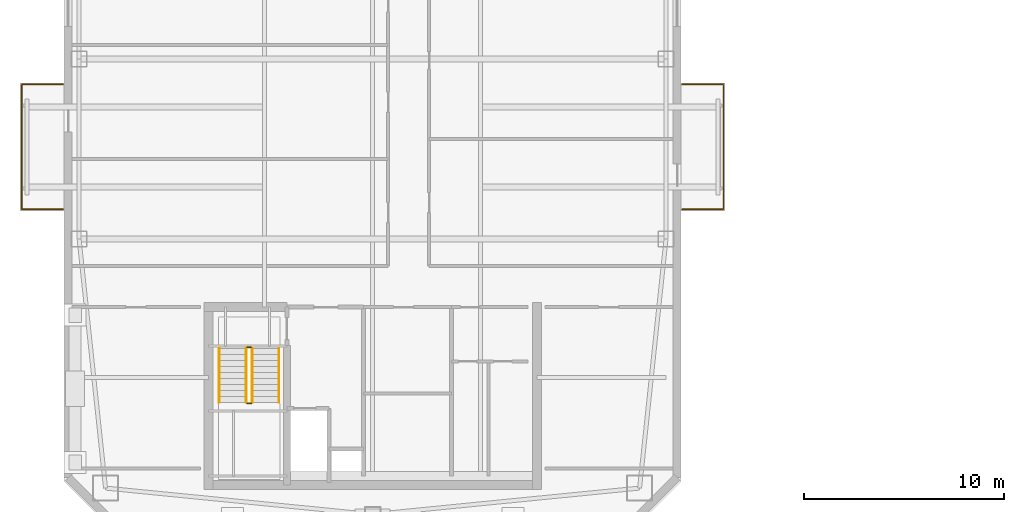
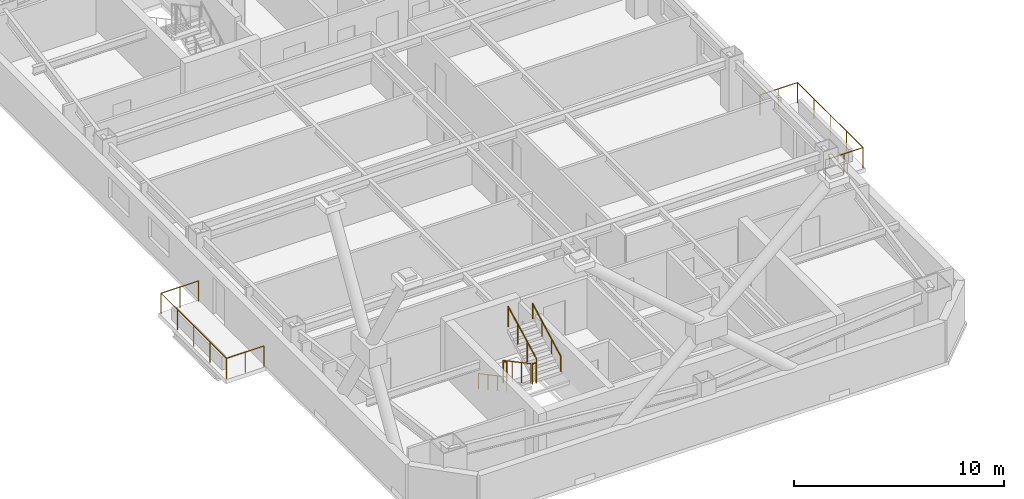
# One storey, part 53 of 56: 8 railings.
"""IFC4 building model written with IfcOpenShell, lengths in metres."""

from ifc_helpers import new_model, si_unit, direction, frame, origin, origin_2d, place, context, subcontext, project, spatial, circle, extrude, material, type_object, element, save


model = new_model("IFC4")

# Units and contexts
model_context = context("Model", 3, precision=1e-05, world=origin(), true_north=direction((0.0, 1.0)))
body_context = subcontext(model_context, "Body", "Model", "MODEL_VIEW")
ifc_project = project(units=[si_unit("LENGTHUNIT", "METRE"), si_unit("AREAUNIT", "SQUARE_METRE"), si_unit("VOLUMEUNIT", "CUBIC_METRE"), si_unit("PLANEANGLEUNIT", "RADIAN"), si_unit("MASSUNIT", "GRAM", prefix="KILO")], contexts=[model_context])

# Site, building, storey
site_placement = place(None, origin())
site = spatial("IfcSite", under=ifc_project, at=site_placement, CompositionType="ELEMENT")
building_placement = place(site_placement, origin())
building = spatial("IfcBuilding", under=site, at=building_placement, Name="Qiaolan Cultural Towers", CompositionType="ELEMENT")
storey_placement = place(building_placement, frame((0.0, 0.0, 250.39990234375)))
storey = spatial("IfcBuildingStorey", under=building, at=storey_placement, Name="L68", CompositionType="ELEMENT", Elevation=250.39990234375)

# Railings
ifc_material_1 = material(Name="Laminated SentryGlas & Stainless Steel S31608 Balustrade", Category="steel")
railing_type_1 = type_object("IfcRailingType", Name="GRD-TERR-1200", PredefinedType="BALUSTRADE", material=ifc_material_1)
railing_1_placement = place(storey_placement, frame((14.550048828125, 26.47998046875, 0.0)))
element("IfcRailing", 1, at=railing_1_placement, inside=storey, type_object=railing_type_1, Name="L68 T1 Tree Balcony Guardrail W", PredefinedType="BALUSTRADE", context=body_context, shape_type="SweptSolid", body=[
    extrude(circle(Radius=0.02392578125, at=origin_2d()), frame((0.0, 0.0, 1.17578125), z_axis=(-1.0, 0.0, 0.0), x_axis=(0.0, -1.0, 0.0)), (0.0, 0.0, 1.0), 2.070068359375),
    extrude(circle(Radius=0.02392578125, at=origin_2d()), frame((-2.070068359375, 0.0, 1.17578125), z_axis=(0.0, 1.0, 0.0), x_axis=(-1.0, 0.0, 0.0)), (0.0, 0.0, 1.0), 6.239990234375),
    extrude(circle(Radius=0.02392578125, at=origin_2d()), frame((-2.070068359375, 6.239990234375, 1.17578125), z_axis=(1.0, 0.0, 0.0), x_axis=(0.0, 1.0, 0.0)), (0.0, 0.0, 1.0), 2.070068359375),
    extrude(circle(Radius=0.02099609375, at=origin_2d()), origin(), (0.0, 0.0, 1.0), 1.15185546875),
    extrude(circle(Radius=0.02099609375, at=origin_2d()), frame((-1.03515625, 0.0, 0.0)), (0.0, 0.0, 1.0), 1.15185546875),
    extrude(circle(Radius=0.02099609375, at=origin_2d()), frame((-2.070068359375, 0.0, 0.0)), (0.0, 0.0, 1.0), 1.15185546875),
    extrude(circle(Radius=0.02099609375, at=origin_2d()), frame((-2.070068359375, 1.56005859375, 0.0)), (0.0, 0.0, 1.0), 1.15185546875),
    extrude(circle(Radius=0.02099609375, at=origin_2d()), frame((-2.070068359375, 3.1201171875, 0.0)), (0.0, 0.0, 1.0), 1.15185546875),
    extrude(circle(Radius=0.02099609375, at=origin_2d()), frame((-2.070068359375, 4.679931640625, 0.0)), (0.0, 0.0, 1.0), 1.15185546875),
    extrude(circle(Radius=0.02099609375, at=origin_2d()), frame((-2.070068359375, 6.239990234375, 0.0)), (0.0, 0.0, 1.0), 1.15185546875),
    extrude(circle(Radius=0.02099609375, at=origin_2d()), frame((-1.03515625, 6.239990234375, 0.0)), (0.0, 0.0, 1.0), 1.15185546875),
    extrude(circle(Radius=0.02099609375, at=origin_2d()), frame((0.0, 6.239990234375, 0.0)), (0.0, 0.0, 1.0), 1.15185546875),
])
railing_2_placement = place(storey_placement, frame((45.449951171875, 26.47998046875, 0.0)))
element("IfcRailing", 2, at=railing_2_placement, inside=storey, type_object=railing_type_1, Name="L68 T1 Tree Balcony Guardrail E", PredefinedType="BALUSTRADE", context=body_context, shape_type="SweptSolid", body=[
    extrude(circle(Radius=0.02392578125, at=origin_2d()), frame((0.0, 0.0, 1.17578125), z_axis=(1.0, 0.0, 0.0), x_axis=(0.0, 1.0, 0.0)), (0.0, 0.0, 1.0), 2.070068359375),
    extrude(circle(Radius=0.02392578125, at=origin_2d()), frame((2.070068359375, 0.0, 1.17578125), z_axis=(0.0, 1.0, 0.0), x_axis=(-1.0, 0.0, 0.0)), (0.0, 0.0, 1.0), 6.239990234375),
    extrude(circle(Radius=0.02392578125, at=origin_2d()), frame((2.070068359375, 6.239990234375, 1.17578125), z_axis=(-1.0, 0.0, 0.0), x_axis=(0.0, -1.0, 0.0)), (0.0, 0.0, 1.0), 2.070068359375),
    extrude(circle(Radius=0.02099609375, at=origin_2d()), origin(), (0.0, 0.0, 1.0), 1.15185546875),
    extrude(circle(Radius=0.02099609375, at=origin_2d()), frame((1.03515625, 0.0, 0.0)), (0.0, 0.0, 1.0), 1.15185546875),
    extrude(circle(Radius=0.02099609375, at=origin_2d()), frame((2.070068359375, 0.0, 0.0)), (0.0, 0.0, 1.0), 1.15185546875),
    extrude(circle(Radius=0.02099609375, at=origin_2d()), frame((2.070068359375, 1.56005859375, 0.0)), (0.0, 0.0, 1.0), 1.15185546875),
    extrude(circle(Radius=0.02099609375, at=origin_2d()), frame((2.070068359375, 3.1201171875, 0.0)), (0.0, 0.0, 1.0), 1.15185546875),
    extrude(circle(Radius=0.02099609375, at=origin_2d()), frame((2.070068359375, 4.679931640625, 0.0)), (0.0, 0.0, 1.0), 1.15185546875),
    extrude(circle(Radius=0.02099609375, at=origin_2d()), frame((2.070068359375, 6.239990234375, 0.0)), (0.0, 0.0, 1.0), 1.15185546875),
    extrude(circle(Radius=0.02099609375, at=origin_2d()), frame((1.03515625, 6.239990234375, 0.0)), (0.0, 0.0, 1.0), 1.15185546875),
    extrude(circle(Radius=0.02099609375, at=origin_2d()), frame((0.0, 6.239990234375, 0.0)), (0.0, 0.0, 1.0), 1.15185546875),
])
ifc_material_2 = material(Name="Galvanized Painted Steel Stair Guardrail", Category="steel")
railing_type_2 = type_object("IfcRailingType", Name="RL-STAIR-GRD", PredefinedType="GUARDRAIL", material=ifc_material_2)
railing_3_placement = place(storey_placement, frame((23.68994140625, 19.550048828125, 0.16015625)))
element("IfcRailing", 3, at=railing_3_placement, inside=storey, type_object=railing_type_2, Name="L68 ST-W1 stair guard 1", PredefinedType="GUARDRAIL", context=body_context, shape_type="SweptSolid", body=[
    extrude(circle(Radius=0.02392578125, at=origin_2d()), frame((0.0, 0.0, 1.17578125), z_axis=(0.0, -0.882357358376, 0.470579952952), x_axis=(1.0, 0.0, 0.0)), (0.0, 0.0, 1.0), 3.059814453125),
    extrude(circle(Radius=0.02099609375, at=origin_2d()), origin(), (0.0, 0.0, 1.0), 1.15185546875),
    extrude(circle(Radius=0.02099609375, at=origin_2d()), frame((0.0, -0.89990234375, 0.47998046875)), (0.0, 0.0, 1.0), 1.15185546875),
    extrude(circle(Radius=0.02099609375, at=origin_2d()), frame((0.0, -1.800048828125, 0.9599609375)), (0.0, 0.0, 1.0), 1.15185546875),
    extrude(circle(Radius=0.02099609375, at=origin_2d()), frame((0.0, -2.699951171875, 1.43994140625)), (0.0, 0.0, 1.0), 1.15185546875),
])
railing_4_placement = place(storey_placement, frame((23.739990234375, 16.800048828125, 1.60009765625)))
element("IfcRailing", 4, at=railing_4_placement, inside=storey, type_object=railing_type_2, Name="L68 ST-W1 stair guard 2", PredefinedType="GUARDRAIL", context=body_context, shape_type="SweptSolid", body=[
    extrude(circle(Radius=0.02392578125, at=origin_2d()), frame((0.0, 0.0, 1.17578125), z_axis=(1.0, 0.0, 0.0), x_axis=(0.0, 1.0, 0.0)), (0.0, 0.0, 1.0), 0.199951171875),
    extrude(circle(Radius=0.02099609375, at=origin_2d()), origin(), (0.0, 0.0, 1.0), 1.15185546875),
    extrude(circle(Radius=0.02099609375, at=origin_2d()), frame((0.199951171875, 0.0, 0.0)), (0.0, 0.0, 1.0), 1.15185546875),
])
railing_5_placement = place(storey_placement, frame((23.989990234375, 16.85009765625, 1.760009765625)))
element("IfcRailing", 5, at=railing_5_placement, inside=storey, type_object=railing_type_2, Name="L68 ST-W1 stair guard 3", PredefinedType="GUARDRAIL", context=body_context, shape_type="SweptSolid", body=[
    extrude(circle(Radius=0.02392578125, at=origin_2d()), frame((0.0, 0.0, 1.17578125), z_axis=(0.0, 0.882324228566, 0.470642067484), x_axis=(-1.0, 0.0, 0.0)), (0.0, 0.0, 1.0), 3.06005859375),
    extrude(circle(Radius=0.02099609375, at=origin_2d()), origin(), (0.0, 0.0, 1.0), 1.15185546875),
    extrude(circle(Radius=0.02099609375, at=origin_2d()), frame((0.0, 0.89990234375, 0.47998046875)), (0.0, 0.0, 1.0), 1.15185546875),
    extrude(circle(Radius=0.02099609375, at=origin_2d()), frame((0.0, 1.800048828125, 0.960205078125)), (0.0, 0.0, 1.0), 1.15185546875),
    extrude(circle(Radius=0.02099609375, at=origin_2d()), frame((0.0, 2.699951171875, 1.440185546875)), (0.0, 0.0, 1.0), 1.15185546875),
])
railing_6_placement = place(storey_placement, frame((23.739990234375, 19.60009765625, 0.0)))
element("IfcRailing", 6, at=railing_6_placement, inside=storey, type_object=railing_type_2, Name="L68 ST-W1 stair guard 4", PredefinedType="GUARDRAIL", context=body_context, shape_type="SweptSolid", body=[
    extrude(circle(Radius=0.02392578125, at=origin_2d()), frame((0.0, 0.0, 1.17578125), z_axis=(1.0, 0.0, 0.0), x_axis=(0.0, 1.0, 0.0)), (0.0, 0.0, 1.0), 0.199951171875),
    extrude(circle(Radius=0.02099609375, at=origin_2d()), origin(), (0.0, 0.0, 1.0), 1.15185546875),
    extrude(circle(Radius=0.02099609375, at=origin_2d()), frame((0.199951171875, 0.0, 0.0)), (0.0, 0.0, 1.0), 1.15185546875),
])
ifc_material_3 = material(Name="Stainless Steel S30408 Tubular Handrail", Category="steel")
railing_type_3 = type_object("IfcRailingType", Name="RL-STAIR-HR", PredefinedType="HANDRAIL", material=ifc_material_3)
railing_7_placement = place(storey_placement, frame((22.35009765625, 19.550048828125, 0.16015625)))
element("IfcRailing", 7, at=railing_7_placement, inside=storey, type_object=railing_type_3, Name="L68 ST-W1 stair handrail 1", PredefinedType="HANDRAIL", context=body_context, shape_type="SweptSolid", body=[
    extrude(circle(Radius=0.02392578125, at=origin_2d()), frame((0.0, 0.0, 0.8759765625), z_axis=(0.0, -0.882357358376, 0.470579952952), x_axis=(1.0, 0.0, 0.0)), (0.0, 0.0, 1.0), 3.059814453125),
    extrude(circle(Radius=0.02099609375, at=origin_2d()), origin(), (0.0, 0.0, 1.0), 0.851806640625),
    extrude(circle(Radius=0.02099609375, at=origin_2d()), frame((0.0, -0.89990234375, 0.47998046875)), (0.0, 0.0, 1.0), 0.851806640625),
    extrude(circle(Radius=0.02099609375, at=origin_2d()), frame((0.0, -1.800048828125, 0.9599609375)), (0.0, 0.0, 1.0), 0.851806640625),
    extrude(circle(Radius=0.02099609375, at=origin_2d()), frame((0.0, -2.699951171875, 1.43994140625)), (0.0, 0.0, 1.0), 0.851806640625),
])
railing_8_placement = place(storey_placement, frame((25.330078125, 16.85009765625, 1.760009765625)))
element("IfcRailing", 8, at=railing_8_placement, inside=storey, type_object=railing_type_3, Name="L68 ST-W1 stair handrail 2", PredefinedType="HANDRAIL", context=body_context, shape_type="SweptSolid", body=[
    extrude(circle(Radius=0.02392578125, at=origin_2d()), frame((0.0, 0.0, 0.8759765625), z_axis=(0.0, 0.882324228566, 0.470642067484), x_axis=(-1.0, 0.0, 0.0)), (0.0, 0.0, 1.0), 3.06005859375),
    extrude(circle(Radius=0.02099609375, at=origin_2d()), origin(), (0.0, 0.0, 1.0), 0.851806640625),
    extrude(circle(Radius=0.02099609375, at=origin_2d()), frame((0.0, 0.89990234375, 0.47998046875)), (0.0, 0.0, 1.0), 0.851806640625),
    extrude(circle(Radius=0.02099609375, at=origin_2d()), frame((0.0, 1.800048828125, 0.960205078125)), (0.0, 0.0, 1.0), 0.851806640625),
    extrude(circle(Radius=0.02099609375, at=origin_2d()), frame((0.0, 2.699951171875, 1.440185546875)), (0.0, 0.0, 1.0), 0.851806640625),
])

save(model, "model.ifc")
